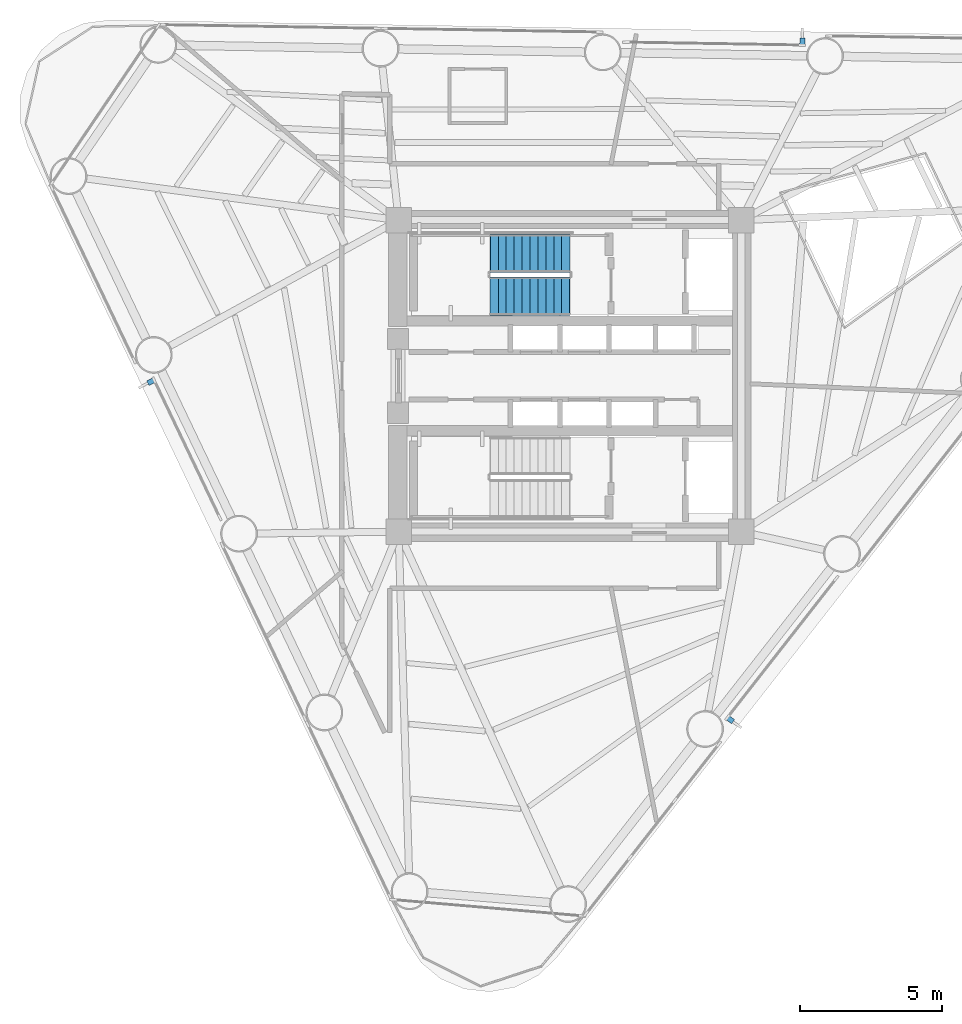
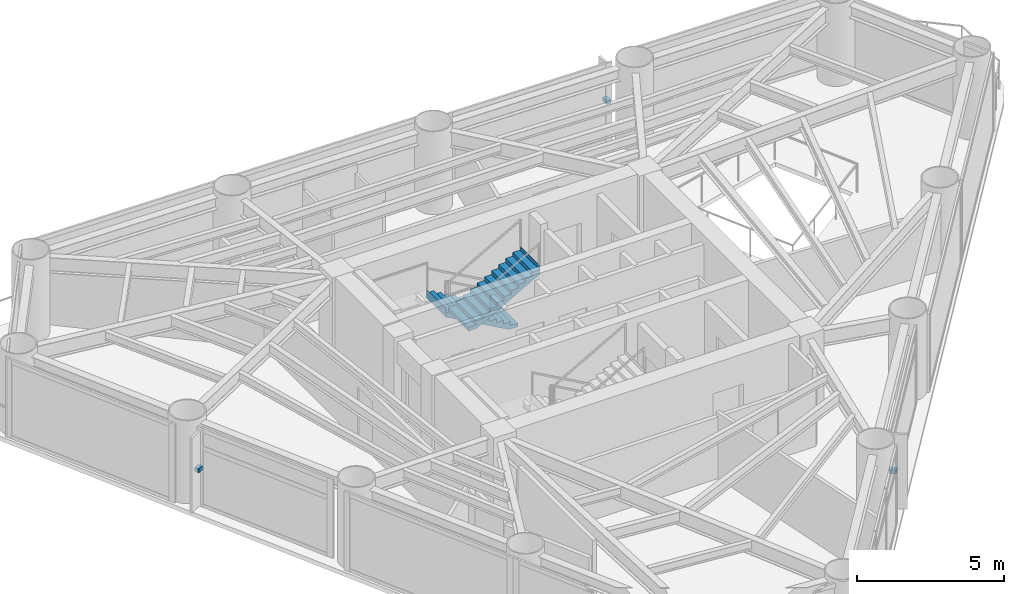
# One storey, part 8 of 11: 3 discrete accessories, 2 stair flights, 1 element without a shape of its own.
"""IFC4 building model written with IfcOpenShell, lengths in metres."""

from ifc_helpers import new_model, si_unit, direction, frame, origin, origin_2d, place, context, subcontext, project, spatial, polyline, rectangle, outline, extrude, source, transform, mapped, material, type_object, element, aggregate, save


model = new_model("IFC4")

# Units and contexts
model_context = context("Model", 3, precision=1e-05, world=origin(), true_north=direction((0.0, 1.0)))
body_context = subcontext(model_context, "Body", "Model", "MODEL_VIEW")
ifc_project = project(units=[si_unit("LENGTHUNIT", "METRE"), si_unit("AREAUNIT", "SQUARE_METRE"), si_unit("VOLUMEUNIT", "CUBIC_METRE"), si_unit("PLANEANGLEUNIT", "RADIAN"), si_unit("MASSUNIT", "GRAM", prefix="KILO")], contexts=[model_context])

# Site, building, storey
site_placement = place(None, origin())
site = spatial("IfcSite", under=ifc_project, at=site_placement, CompositionType="ELEMENT")
building_placement = place(site_placement, origin())
building = spatial("IfcBuilding", under=site, at=building_placement, Name="Yunling Apex Tower", CompositionType="ELEMENT")
storey_placement = place(building_placement, frame((0.0, 0.0, 150.199951171875)))
storey = spatial("IfcBuildingStorey", under=building, at=storey_placement, Name="L37", CompositionType="ELEMENT", Elevation=150.199951171875)

# Stair, stair flights
ifc_material_1 = material(Name="Concrete C40", Category="concrete")
stair_type = type_object("IfcStairType", Name="ST-TWR-2", PredefinedType="HALF_TURN_STAIR", material=ifc_material_1)
stair_placement = place(storey_placement, origin())
stair = element("IfcStair", 1, at=stair_placement, inside=storey, type_object=stair_type, Name="L37 North Core Smokeproof Exit Stair ST-1", PredefinedType="HALF_TURN_STAIR")
stair_flight_type = type_object("IfcStairFlightType", Name="SFL-TWR-2", PredefinedType="STRAIGHT", material=ifc_material_1)
stair_flight_1_placement = place(storey_placement, frame((-0.010009765625, 4.330078125, 0.0), z_axis=(0.0, 0.0, 1.0), x_axis=(-1.0, 0.0, 0.0)))
stair_flight_1 = element("IfcStairFlight", 2, at=stair_flight_1_placement, type_object=stair_flight_type, Name="ST-1 flight 1", NumberOfRisers=11, NumberOfTreads=10, PredefinedType="STRAIGHT", RiserHeight=0.156818182, TreadLength=0.28, context=body_context, shape_type="SweptSolid", body=[
    extrude(outline(polyline([(-0.011962890625, 0.0), (-0.011962890625, 0.15673828125), (0.0, 0.15673828125), (0.280029296875, 0.15673828125), (0.280029296875, 0.313720703125), (0.56005859375, 0.313720703125), (0.56005859375, 0.470458984375), (0.840087890625, 0.470458984375), (0.840087890625, 0.627197265625), (1.1201171875, 0.627197265625), (1.1201171875, 0.7841796875), (1.39990234375, 0.7841796875), (1.39990234375, 0.94091796875), (1.679931640625, 0.94091796875), (1.679931640625, 1.09765625), (1.9599609375, 1.09765625), (1.9599609375, 1.254638671875), (2.239990234375, 1.254638671875), (2.239990234375, 1.411376953125), (2.52001953125, 1.411376953125), (2.52001953125, 1.568115234375), (2.800048828125, 1.568115234375), (2.800048828125, 1.72509765625), (2.81201171875, 1.72509765625), (2.81201171875, 1.385009765625), (0.3271484375, 0.0), (-0.011962890625, 0.0)])), frame((0.0, 0.68017578125, 0.0), z_axis=(0.0, -1.0, 0.0), x_axis=(1.0, 0.0, 0.0)), (0.0, 0.0, 1.0), 1.360107421875),
])
stair_flight_2_placement = place(storey_placement, frame((-2.81005859375, 2.820068359375, 1.72509765625), z_axis=(0.0, 0.0, 1.0), x_axis=(1.0, 0.0, 0.0)))
stair_flight_2 = element("IfcStairFlight", 3, at=stair_flight_2_placement, type_object=stair_flight_type, Name="ST-1 flight 2", NumberOfRisers=11, NumberOfTreads=10, PredefinedType="STRAIGHT", RiserHeight=0.156818182, TreadLength=0.28, context=body_context, shape_type="SweptSolid", body=[
    extrude(outline(polyline([(-0.011962890625, 0.0), (-0.011962890625, 0.15673828125), (0.0, 0.15673828125), (0.280029296875, 0.15673828125), (0.280029296875, 0.313720703125), (0.56005859375, 0.313720703125), (0.56005859375, 0.470458984375), (0.840087890625, 0.470458984375), (0.840087890625, 0.627197265625), (1.1201171875, 0.627197265625), (1.1201171875, 0.7841796875), (1.39990234375, 0.7841796875), (1.39990234375, 0.94091796875), (1.679931640625, 0.94091796875), (1.679931640625, 1.09765625), (1.9599609375, 1.09765625), (1.9599609375, 1.254638671875), (2.239990234375, 1.254638671875), (2.239990234375, 1.411376953125), (2.52001953125, 1.411376953125), (2.52001953125, 1.568115234375), (2.800048828125, 1.568115234375), (2.800048828125, 1.72509765625), (2.81201171875, 1.72509765625), (2.81201171875, 1.385009765625), (0.3271484375, 0.0), (-0.011962890625, 0.0)])), frame((0.0, 0.68017578125, 0.0), z_axis=(0.0, -1.0, 0.0), x_axis=(1.0, 0.0, 0.0)), (0.0, 0.0, 1.0), 1.360107421875),
])
aggregate(stair, [stair_flight_1, stair_flight_2])

# Discrete accessories
ifc_material_2 = material(Name="Steel Q355B", Category="steel")
discrete_accessory_type = type_object("IfcDiscreteAccessoryType", Name="BK-FIN-1", PredefinedType="BRACKET", material=ifc_material_2)
shared_shape = source(origin(), body_context, "Body", "SweptSolid", [
    extrude(rectangle(XDim=0.179931640625, YDim=0.260009765625, at=origin_2d()), origin(), (0.0, 0.0, 1.0), 0.159912109375),
])
for number, where, z_axis, x_axis, name in (
    (4, (5.658447265625, -12.135986328125, 1.53515625), (0.0, 0.0, 1.0), (0.616211460536, 0.787580748815, 0.0), "CW-L37-F1-B2-BRK-01-1"),
    (5, (8.207763671875, 11.798828125, 1.53515625), (0.0, 0.0, 1.0), (-0.999859635577, 0.016754376869, 0.0), "CW-L37-F2-B2-BRK-01-1"),
    (6, (-14.790283203125, -0.201416015625, 1.53515625), (0.0, 0.0, 1.0), (0.430511096808, -0.90258528435, 0.0), "CW-L37-F3-B2-BRK-01-1"),
):
    element("IfcDiscreteAccessory", number, at=place(storey_placement, frame(where, z_axis=z_axis, x_axis=x_axis)), inside=storey, type_object=discrete_accessory_type, Name=name, PredefinedType="BRACKET", context=body_context, shape_type="MappedRepresentation", body=[
        mapped(shared_shape, transform((0.0, 0.0, 0.0), scale=1.0)),
    ])

save(model, "model.ifc")
